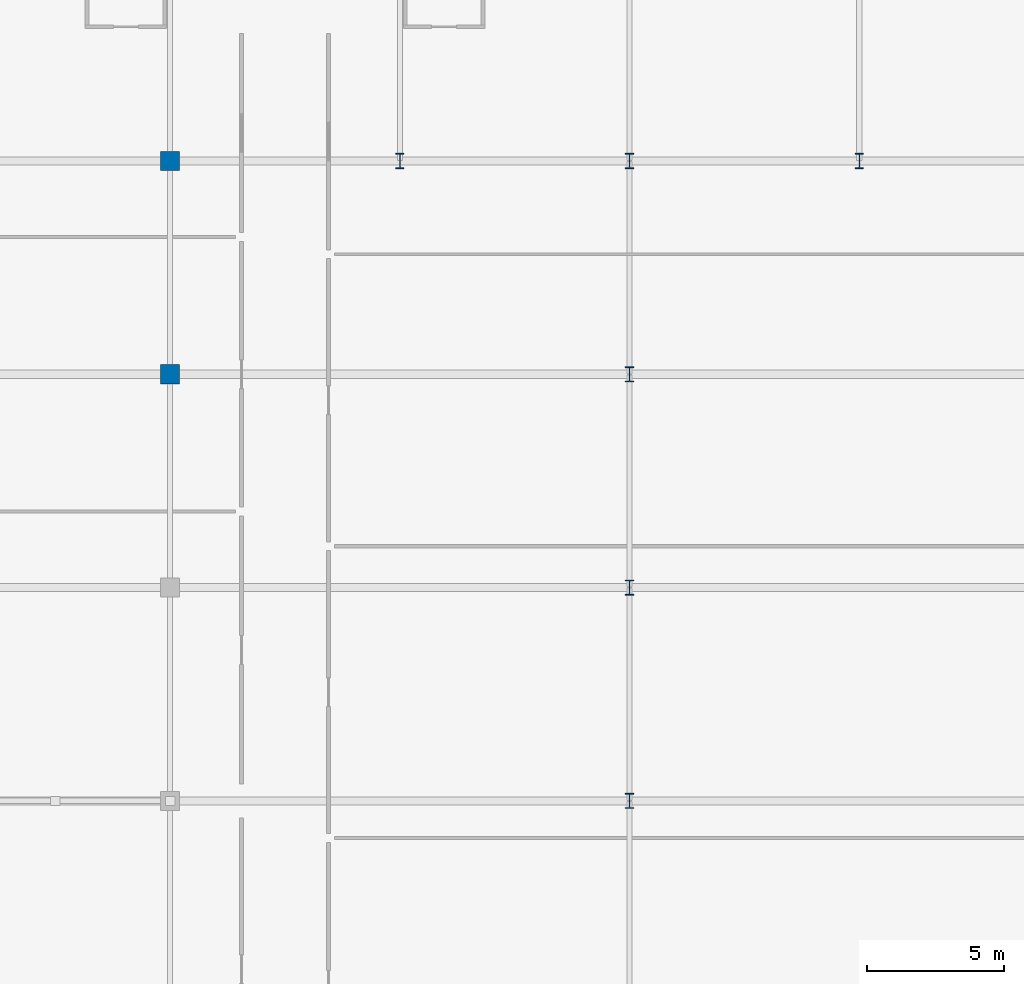
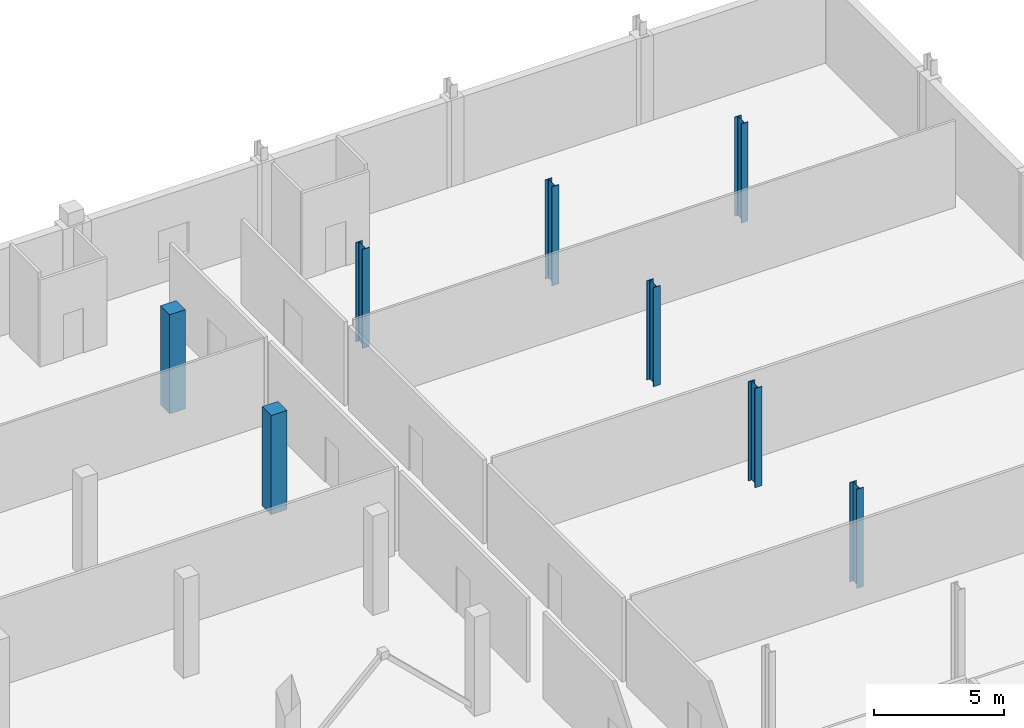
# One storey, part 19 of 98: 8 columns.
"""IFC4 building model written with IfcOpenShell, lengths in metres."""

from ifc_helpers import new_model, si_unit, direction, frame, origin, origin_2d, place, context, subcontext, project, spatial, rectangle, i_section, extrude, material, material_profile, profile_set, type_object, element, save


model = new_model("IFC4")

# Units and contexts
model_context = context("Model", 3, precision=1e-05, world=origin(), true_north=direction((0.0, 1.0)))
body_context = subcontext(model_context, "Body", "Model", "MODEL_VIEW")
ifc_project = project(units=[si_unit("LENGTHUNIT", "METRE"), si_unit("AREAUNIT", "SQUARE_METRE"), si_unit("VOLUMEUNIT", "CUBIC_METRE"), si_unit("PLANEANGLEUNIT", "RADIAN"), si_unit("MASSUNIT", "GRAM", prefix="KILO")], contexts=[model_context])

# Site, building, storey
site_placement = place(None, origin())
site = spatial("IfcSite", under=ifc_project, at=site_placement, CompositionType="ELEMENT")
building_placement = place(site_placement, origin())
building = spatial("IfcBuilding", under=site, at=building_placement, Name="Nabrawat Pavilion Hospital", CompositionType="ELEMENT")
storey_placement = place(building_placement, frame((0.0, 0.0, 10.199951171875)))
storey = spatial("IfcBuildingStorey", under=building, at=storey_placement, Name="L02", CompositionType="ELEMENT", Elevation=10.199951171875)

# Columns
ifc_material_1 = material(Name="Steel S355", Category="steel")
ifc_material_profile_1 = material_profile(ifc_material_1, i_section(OverallWidth=0.300048828125, OverallDepth=0.550048828125, WebThickness=0.014892578125, FlangeThickness=0.029052734375, FilletRadius=0.027099609375, at=origin_2d()), Name="HEB 550")
ifc_profile_set_1 = profile_set([ifc_material_profile_1], Name="Steel S355")
column_type_1 = type_object("IfcColumnType", Name="Composite Steel Column HEB 550", PredefinedType="COLUMN", material=ifc_profile_set_1)
for number, where, z_axis, x_axis, name in (
    (1, (168.0, 117.0, 0.0), (0.0, 0.0, 1.0), (1.0, 0.0, 0.0), "L02 Structural Column G-21-R"),
    (2, (176.39990234375, 93.60009765625, 0.0), (0.0, 0.0, 1.0), (1.0, 0.0, 0.0), "L02 Structural Column G-22-N"),
    (3, (176.39990234375, 101.39990234375, 0.0), (0.0, 0.0, 1.0), (1.0, 0.0, 0.0), "L02 Structural Column G-22-P"),
    (4, (176.39990234375, 109.199951171875, 0.0), (0.0, 0.0, 1.0), (1.0, 0.0, 0.0), "L02 Structural Column G-22-Q"),
    (5, (176.39990234375, 117.0, 0.0), (0.0, 0.0, 1.0), (1.0, 0.0, 0.0), "L02 Structural Column G-22-R"),
    (6, (184.800048828125, 117.0, 0.0), (0.0, 0.0, 1.0), (1.0, 0.0, 0.0), "L02 Structural Column G-23-R"),
):
    element("IfcColumn", number, at=place(storey_placement, frame(where, z_axis=z_axis, x_axis=x_axis)), inside=storey, type_object=column_type_1, Name=name, PredefinedType="COLUMN", context=body_context, shape_type="SweptSolid", body=[
        extrude(i_section(OverallWidth=0.300048828125, OverallDepth=0.550048828125, WebThickness=0.014892578125, FlangeThickness=0.029052734375, FilletRadius=0.027099609375, at=origin_2d()), origin(), (0.0, 0.0, 1.0), 4.650146484375),
    ])
ifc_material_2 = material(Name="Concrete C40/50", Category="concrete")
ifc_material_profile_2 = material_profile(ifc_material_2, rectangle(XDim=0.699951171875, YDim=0.699951171875, at=origin_2d()), Name="RC 700x700")
ifc_profile_set_2 = profile_set([ifc_material_profile_2], Name="Concrete C40/50")
column_type_2 = type_object("IfcColumnType", Name="Mid-Tier Ward RC Column 700x700", PredefinedType="COLUMN", material=ifc_profile_set_2)
for number, where, z_axis, x_axis, name in (
    (7, (159.60009765625, 109.199951171875, 0.0), (0.0, 0.0, 1.0), (1.0, 0.0, 0.0), "L02 Structural Column G-20-Q"),
    (8, (159.60009765625, 117.0, 0.0), (0.0, 0.0, 1.0), (1.0, 0.0, 0.0), "L02 Structural Column G-20-R"),
):
    element("IfcColumn", number, at=place(storey_placement, frame(where, z_axis=z_axis, x_axis=x_axis)), inside=storey, type_object=column_type_2, Name=name, PredefinedType="COLUMN", context=body_context, shape_type="SweptSolid", body=[
        extrude(rectangle(XDim=0.699951171875, YDim=0.699951171875, at=origin_2d()), origin(), (0.0, 0.0, 1.0), 4.650146484375),
    ])

save(model, "model.ifc")
